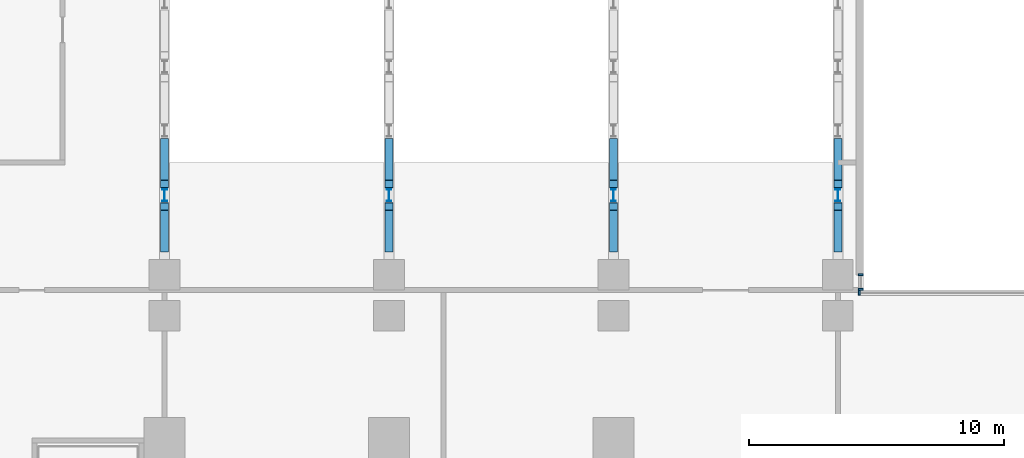
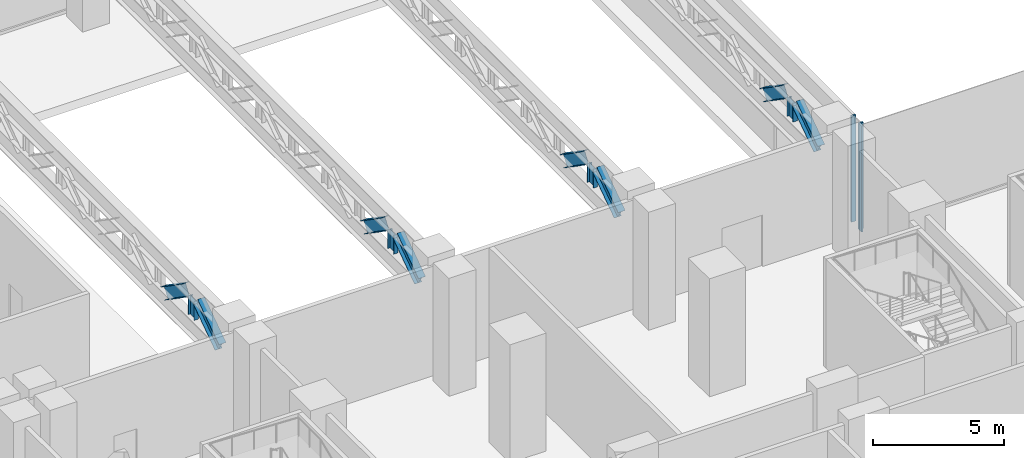
# One storey, part 4 of 30: 15 members, 2 elements without a shape of their own.
"""IFC4 building model written with IfcOpenShell, lengths in metres."""

from ifc_helpers import new_model, si_unit, direction, frame, origin, origin_2d, place, context, subcontext, project, spatial, rectangle, i_section, extrude, source, transform, mapped, material, material_profile, profile_set, type_object, element, aggregate, save


model = new_model("IFC4")

# Units and contexts
model_context = context("Model", 3, precision=1e-05, world=origin(), true_north=direction((0.0, 1.0)))
body_context = subcontext(model_context, "Body", "Model", "MODEL_VIEW")
ifc_project = project(units=[si_unit("LENGTHUNIT", "METRE"), si_unit("AREAUNIT", "SQUARE_METRE"), si_unit("VOLUMEUNIT", "CUBIC_METRE"), si_unit("PLANEANGLEUNIT", "RADIAN"), si_unit("MASSUNIT", "GRAM", prefix="KILO")], contexts=[model_context])

# Site, building, storey
site_placement = place(None, origin())
site = spatial("IfcSite", under=ifc_project, at=site_placement, CompositionType="ELEMENT")
building_placement = place(site_placement, origin())
building = spatial("IfcBuilding", under=site, at=building_placement, Name="Kemantara Hotel Tower", CompositionType="ELEMENT")
storey_placement = place(building_placement, frame((0.0, 0.0, 23.5)))
storey = spatial("IfcBuildingStorey", under=building, at=storey_placement, Name="L04", CompositionType="ELEMENT", Elevation=23.5)

# Members
ifc_material_1 = material(Name="Steel ASTM A992 Grade 50", Category="steel")
ifc_material_profile_1 = material_profile(ifc_material_1, i_section(OverallWidth=0.31201171875, OverallDepth=0.5439453125, WebThickness=0.0126953125, FlangeThickness=0.020263671875, at=origin_2d()), Name="W530X150")
ifc_profile_set_1 = profile_set([ifc_material_profile_1], Name="Steel ASTM A992 Grade 50")
member_type_1 = type_object("IfcMemberType", Name="BALLROOM ROOF TRUSS DIAGONAL W530X150", PredefinedType="BRACE", material=ifc_profile_set_1)
for number, where, z_axis, x_axis, name in (
    (1, (36.199951171875, 28.442626953125, 3.236083984375), (0.0, 0.823093905772, 0.567905293409), (-1.0, 0.0, 0.0), "BALLROOM ROOF TRUSS T1 diagonal 1"),
    (2, (36.199951171875, 32.597412109375, 3.236083984375), (0.0, -0.823093905772, 0.567905293409), (1.0, 0.0, 0.0), "BALLROOM ROOF TRUSS T1 diagonal 2"),
    (3, (45.0, 28.442626953125, 3.236083984375), (0.0, 0.823093905772, 0.567905293409), (-1.0, 0.0, 0.0), "BALLROOM ROOF TRUSS T2 diagonal 1"),
    (4, (45.0, 32.597412109375, 3.236083984375), (0.0, -0.823093905772, 0.567905293409), (1.0, 0.0, 0.0), "BALLROOM ROOF TRUSS T2 diagonal 2"),
    (5, (53.800048828125, 28.442626953125, 3.236083984375), (0.0, 0.823093905772, 0.567905293409), (-1.0, 0.0, 0.0), "BALLROOM ROOF TRUSS T3 diagonal 1"),
    (6, (53.800048828125, 32.597412109375, 3.236083984375), (0.0, -0.823093905772, 0.567905293409), (1.0, 0.0, 0.0), "BALLROOM ROOF TRUSS T3 diagonal 2"),
    (7, (62.60009765625, 28.442626953125, 3.236083984375), (0.0, 0.823093905772, 0.567905293409), (-1.0, 0.0, 0.0), "BALLROOM ROOF TRUSS T4 diagonal 1"),
    (8, (62.60009765625, 32.597412109375, 3.236083984375), (0.0, -0.823093905772, 0.567905293409), (1.0, 0.0, 0.0), "BALLROOM ROOF TRUSS T4 diagonal 2"),
):
    element("IfcMember", number, at=place(storey_placement, frame(where, z_axis=z_axis, x_axis=x_axis)), inside=storey, type_object=member_type_1, Name=name, PredefinedType="BRACE", context=body_context, shape_type="SweptSolid", body=[
        extrude(i_section(OverallWidth=0.31201171875, OverallDepth=0.5439453125, WebThickness=0.0126953125, FlangeThickness=0.020263671875, at=origin_2d()), origin(), (0.0, 0.0, 1.0), 1.986083984375),
    ])
ifc_material_profile_2 = material_profile(ifc_material_1, i_section(OverallWidth=0.193115234375, OverallDepth=0.467041015625, WebThickness=0.011474609375, FlangeThickness=0.01904296875, at=origin_2d()), Name="W460X97")
ifc_profile_set_2 = profile_set([ifc_material_profile_2], Name="Steel ASTM A992 Grade 50")
member_type_2 = type_object("IfcMemberType", Name="BALLROOM ROOF TRUSS POST W460X97", PredefinedType="POST", material=ifc_profile_set_2)
for number, where, z_axis, x_axis, name in (
    (9, (36.199951171875, 30.52001953125, 3.361083984375), (0.0, 0.0, 1.0), (1.0, 0.0, 0.0), "BALLROOM ROOF TRUSS T1 post 2"),
    (10, (45.0, 30.52001953125, 3.361083984375), (0.0, 0.0, 1.0), (1.0, 0.0, 0.0), "BALLROOM ROOF TRUSS T2 post 2"),
    (11, (53.800048828125, 30.52001953125, 3.361083984375), (0.0, 0.0, 1.0), (1.0, 0.0, 0.0), "BALLROOM ROOF TRUSS T3 post 2"),
    (12, (62.60009765625, 30.52001953125, 3.361083984375), (0.0, 0.0, 1.0), (1.0, 0.0, 0.0), "BALLROOM ROOF TRUSS T4 post 2"),
):
    element("IfcMember", number, at=place(storey_placement, frame(where, z_axis=z_axis, x_axis=x_axis)), inside=storey, type_object=member_type_2, Name=name, PredefinedType="POST", context=body_context, shape_type="SweptSolid", body=[
        extrude(i_section(OverallWidth=0.193115234375, OverallDepth=0.467041015625, WebThickness=0.011474609375, FlangeThickness=0.01904296875, at=origin_2d()), origin(), (0.0, 0.0, 1.0), 0.8779296875),
    ])

# Curtain wall, member
ifc_material_2 = material(Name="Laminated tinted insulated glass 44 mm", Category="glass")
curtain_wall_type = type_object("IfcCurtainWallType", Name="PODIUM GLASS CURTAIN WALL", PredefinedType="USERDEFINED", material=ifc_material_2)
curtain_wall_1_placement = place(storey_placement, origin())
curtain_wall_1 = element("IfcCurtainWall", 13, at=curtain_wall_1_placement, inside=storey, type_object=curtain_wall_type, Name="CW1 L04 POD-R07-1", ObjectType="PODIUM GLASS CURTAIN WALL", PredefinedType="USERDEFINED")
ifc_material_3 = material(Name="Aluminium 6063-T6 bronze anodised", Category="aluminium")
ifc_material_profile_3 = material_profile(ifc_material_3, rectangle(XDim=0.199951171875, YDim=0.074951171875, at=origin_2d()), Name="PODIUM GLASS CURTAIN WALL MULLION")
ifc_profile_set_3 = profile_set([ifc_material_profile_3], Name="Aluminium 6063-T6 bronze anodised")
member_type_3 = type_object("IfcMemberType", Name="PODIUM GLASS CURTAIN WALL MULLION", PredefinedType="MULLION", material=ifc_profile_set_3)
shared_shape = source(origin(), body_context, "Body", "SweptSolid", [
    extrude(rectangle(XDim=0.199951171875, YDim=0.074951171875, at=origin_2d()), origin(), (0.0, 0.0, 1.0), 4.9501953125),
])
member_1_placement = place(storey_placement, frame((63.4375, 26.699951171875, 0.14990234375), z_axis=(0.0, 0.0, 1.0), x_axis=(0.0, -1.0, 0.0)))
member_1 = element("IfcMember", 14, at=member_1_placement, type_object=member_type_3, Name="CW1 mullion POD-R07-1.3", PredefinedType="MULLION", context=body_context, shape_type="MappedRepresentation", body=[
    mapped(shared_shape, transform((0.0, 0.0, 0.0))),
])
aggregate(curtain_wall_1, [member_1])

# Curtain wall, members
curtain_wall_2_placement = place(storey_placement, origin())
curtain_wall_2 = element("IfcCurtainWall", 15, at=curtain_wall_2_placement, inside=storey, type_object=curtain_wall_type, Name="CW1 L04 POD-R08-1", ObjectType="PODIUM GLASS CURTAIN WALL", PredefinedType="USERDEFINED")
member_2_placement = place(storey_placement, frame((63.5, 26.83740234375, 0.14990234375), z_axis=(0.0, 0.0, 1.0), x_axis=(-1.0, 0.0, 0.0)))
member_2 = element("IfcMember", 16, at=member_2_placement, type_object=member_type_3, Name="CW1 mullion POD-R08-1.1", PredefinedType="MULLION", context=body_context, shape_type="MappedRepresentation", body=[
    mapped(shared_shape, transform((0.0, 0.0, 0.0))),
])
member_3_placement = place(storey_placement, frame((63.5, 27.39990234375, 0.14990234375), z_axis=(0.0, 0.0, 1.0), x_axis=(-1.0, 0.0, 0.0)))
member_3 = element("IfcMember", 17, at=member_3_placement, type_object=member_type_3, Name="CW1 mullion POD-R08-1.2", PredefinedType="MULLION", context=body_context, shape_type="MappedRepresentation", body=[
    mapped(shared_shape, transform((0.0, 0.0, 0.0))),
])
aggregate(curtain_wall_2, [member_2, member_3])

save(model, "model.ifc")
